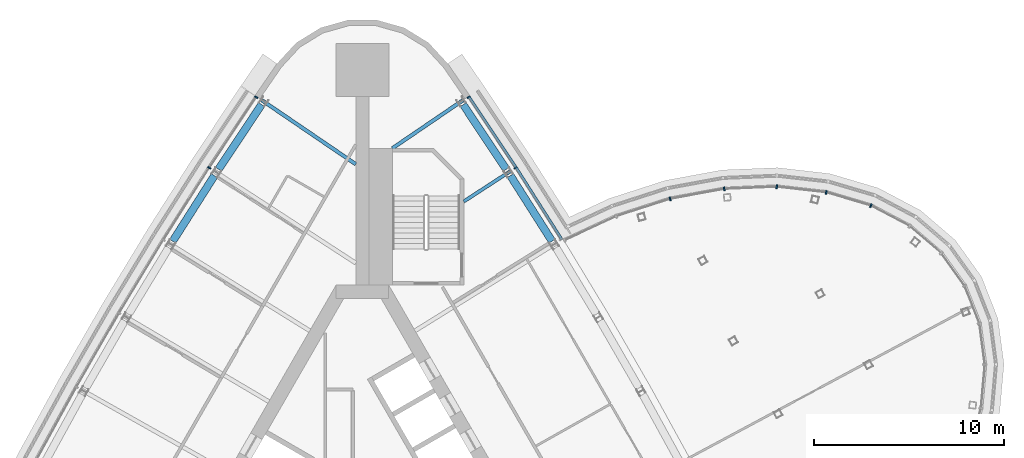
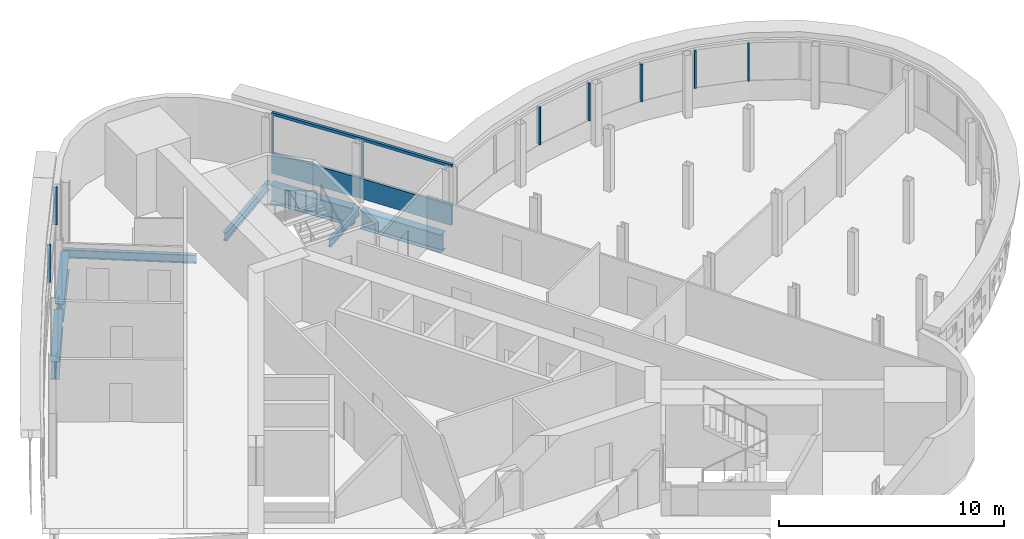
# One storey, part 8 of 15: 11 members, 7 beams, 3 elements without a shape of their own.
"""IFC4 building model written with IfcOpenShell, lengths in metres."""

from ifc_helpers import new_model, si_unit, direction, frame, origin, origin_2d, place, context, subcontext, project, spatial, polyline, rectangle, i_section, outline, extrude, material, material_profile, profile_set, type_object, element, aggregate, save


model = new_model("IFC4")

# Units and contexts
model_context = context("Model", 3, precision=1e-05, world=origin(), true_north=direction((0.0, 1.0)))
body_context = subcontext(model_context, "Body", "Model", "MODEL_VIEW")
ifc_project = project(units=[si_unit("LENGTHUNIT", "METRE"), si_unit("AREAUNIT", "SQUARE_METRE"), si_unit("VOLUMEUNIT", "CUBIC_METRE"), si_unit("PLANEANGLEUNIT", "RADIAN"), si_unit("MASSUNIT", "GRAM", prefix="KILO")], contexts=[model_context])

# Site, building, storey
site_placement = place(None, origin())
site = spatial("IfcSite", under=ifc_project, at=site_placement, CompositionType="ELEMENT")
building_placement = place(site_placement, origin())
building = spatial("IfcBuilding", under=site, at=building_placement, Name="Noor Cloister Tower", CompositionType="ELEMENT")
storey_placement = place(building_placement, frame((0.0, 0.0, 174.300048828125)))
storey = spatial("IfcBuildingStorey", under=building, at=storey_placement, Name="L44", CompositionType="ELEMENT", Elevation=174.300048828125)

# Beams
ifc_material_1 = material(Name="Steel ASTM A992 Gr 50", Category="steel")
ifc_material_profile_1 = material_profile(ifc_material_1, i_section(OverallWidth=0.40087890625, OverallDepth=0.98291015625, WebThickness=0.0166015625, FlangeThickness=0.027099609375, FilletRadius=0.030029296875, at=origin_2d()), Name="W1000x296")
ifc_profile_set_1 = profile_set([ifc_material_profile_1], Name="Steel ASTM A992 Gr 50")
beam_type_1 = type_object("IfcBeamType", Name="Belt chord girder W1000x296", PredefinedType="BEAM", material=ifc_profile_set_1)
for number, where, z_axis, x_axis, name in (
    (1, (-5.306884765625, 20.959716796875, -0.691650390625), (-0.553956901261, -0.832545345038, 0.0), (0.832545345038, -0.553956901261, 0.0), "Spandrel beam NW 01 L44"),
    (2, (-7.789794921875, 17.220703125, -0.691650390625), (-0.536207800432, -0.844086011468, 0.0), (0.844086011468, -0.536207800432, 0.0), "Spandrel beam NW 02 L44"),
    (3, (9.985107421875, 13.764892578125, -0.691650390625), (-0.536207800432, 0.844086011468, 0.0), (-0.844086011468, -0.536207800432, 0.0), "Spandrel beam NE 06 L44"),
    (4, (7.574951171875, 17.551025390625, -0.691650390625), (-0.553956901261, 0.832545345038, 0.0), (-0.832545345038, -0.553956901261, 0.0), "Spandrel beam NE 07 L44"),
):
    element("IfcBeam", number, at=place(storey_placement, frame(where, z_axis=z_axis, x_axis=x_axis)), inside=storey, type_object=beam_type_1, Name=name, PredefinedType="BEAM", context=body_context, shape_type="SweptSolid", body=[
        extrude(i_section(OverallWidth=0.40087890625, OverallDepth=0.98291015625, WebThickness=0.0166015625, FlangeThickness=0.027099609375, FilletRadius=0.030029296875, at=origin_2d()), origin(), (0.0, 0.0, 1.0), 4.09423828125),
    ])

# Curtain wall, member
ifc_material_2 = material(Name="Aluminium 6063-T6 anodised", Category="aluminium")
curtain_wall_type_1 = type_object("IfcCurtainWallType", Name="Ribbon curtain wall, upper tower CW5", PredefinedType="NOTDEFINED", material=ifc_material_2)
curtain_wall_1_placement = place(storey_placement, origin())
curtain_wall_1 = element("IfcCurtainWall", 5, at=curtain_wall_1_placement, inside=storey, type_object=curtain_wall_type_1, Name="CW5 L44 NE run 4", PredefinedType="NOTDEFINED")
ifc_material_3 = material(Name="Aluminium 6063-T6 anodised", Category="aluminium")
member_type_1 = type_object("IfcMemberType", Name="Head transom CW5 150", PredefinedType="USERDEFINED", material=ifc_material_3)
member_1_placement = place(storey_placement, frame((0.0, 0.0, 3.14990234375)))
member_1 = element("IfcMember", 6, at=member_1_placement, type_object=member_type_1, Name="CW5 head transom", ObjectType="TRANSOM", PredefinedType="USERDEFINED", context=body_context, shape_type="SweptSolid", body=[
    extrude(outline(polyline([(10.55810546875, 13.888671875), (8.145263671875, 17.68701171875), (5.65234375, 21.43310546875), (5.53564453125, 21.355712890625), (8.02783203125, 17.610595703125), (10.43994140625, 13.8134765625), (10.55810546875, 13.888671875)])), origin(), (0.0, 0.0, 1.0), 0.150146484375),
])

# Curtain wall, members
ifc_material_4 = material(Name="Aluminium 6063-T6 anodised", Category="aluminium")
curtain_wall_type_2 = type_object("IfcCurtainWallType", Name="Sky bar curtain wall, lower bars CW2", PredefinedType="NOTDEFINED", material=ifc_material_4)
curtain_wall_2_placement = place(storey_placement, origin())
curtain_wall_2 = element("IfcCurtainWall", 7, at=curtain_wall_2_placement, inside=storey, type_object=curtain_wall_type_2, Name="CW2 L44 NE sky bar run 3", PredefinedType="NOTDEFINED")
ifc_material_5 = material(Name="Aluminium 6063-T6 anodised", Category="aluminium")
ifc_material_profile_2 = material_profile(ifc_material_5, rectangle(XDim=0.199951171875, YDim=0.080078125, at=origin_2d()), Name="200 x 80 mullion")
ifc_profile_set_2 = profile_set([ifc_material_profile_2], Name="Aluminium 6063-T6 anodised")
member_type_2 = type_object("IfcMemberType", Name="Mullion CW2 80 x 200", PredefinedType="MULLION", material=ifc_profile_set_2)
member_2_placement = place(storey_placement, frame((26.764404296875, 15.64208984375, 1.099853515625), z_axis=(0.0, 0.0, 1.0), x_axis=(-0.377483553178, -0.926016288777, 0.0)))
member_2 = element("IfcMember", 8, at=member_2_placement, type_object=member_type_2, Name="CW2 mullion 13", PredefinedType="MULLION", context=body_context, shape_type="SweptSolid", body=[
    extrude(rectangle(XDim=0.199951171875, YDim=0.080078125, at=origin_2d()), origin(), (0.0, 0.0, 1.0), 2.050048828125),
])
member_3_placement = place(storey_placement, frame((24.408935546875, 16.34033203125, 1.099853515625), z_axis=(0.0, 0.0, 1.0), x_axis=(-0.199522183115, -0.979893309726, 0.0)))
member_3 = element("IfcMember", 9, at=member_3_placement, type_object=member_type_2, Name="CW2 mullion 14", PredefinedType="MULLION", context=body_context, shape_type="SweptSolid", body=[
    extrude(rectangle(XDim=0.199951171875, YDim=0.080078125, at=origin_2d()), origin(), (0.0, 0.0, 1.0), 2.050048828125),
])
member_4_placement = place(storey_placement, frame((21.80859375, 16.636962890625, 1.099853515625), z_axis=(0.0, 0.0, 1.0), x_axis=(-0.036049834228, -0.999349993472, 0.0)))
member_4 = element("IfcMember", 10, at=member_4_placement, type_object=member_type_2, Name="CW2 mullion 15", PredefinedType="MULLION", context=body_context, shape_type="SweptSolid", body=[
    extrude(rectangle(XDim=0.199951171875, YDim=0.080078125, at=origin_2d()), origin(), (0.0, 0.0, 1.0), 2.050048828125),
])
member_5_placement = place(storey_placement, frame((19.042236328125, 16.52197265625, 1.099853515625), z_axis=(0.0, 0.0, 1.0), x_axis=(0.111408070069, -0.993774744056, 0.0)))
member_5 = element("IfcMember", 11, at=member_5_placement, type_object=member_type_2, Name="CW2 mullion 16", PredefinedType="MULLION", context=body_context, shape_type="SweptSolid", body=[
    extrude(rectangle(XDim=0.199951171875, YDim=0.080078125, at=origin_2d()), origin(), (0.0, 0.0, 1.0), 2.050048828125),
])
member_6_placement = place(storey_placement, frame((16.195068359375, 15.998779296875, 1.099853515625), z_axis=(0.0, 0.0, 1.0), x_axis=(0.244410452656, -0.969671867506, 0.0)))
member_6 = element("IfcMember", 12, at=member_6_placement, type_object=member_type_2, Name="CW2 mullion 17", PredefinedType="MULLION", context=body_context, shape_type="SweptSolid", body=[
    extrude(rectangle(XDim=0.199951171875, YDim=0.080078125, at=origin_2d()), origin(), (0.0, 0.0, 1.0), 2.050048828125),
])
aggregate(curtain_wall_2, [member_2, member_3, member_4, member_5, member_6])

curtain_wall_3_placement = place(storey_placement, origin())
curtain_wall_3 = element("IfcCurtainWall", 13, at=curtain_wall_3_placement, inside=storey, type_object=curtain_wall_type_1, Name="CW5 L44 NW run 1", PredefinedType="NOTDEFINED")
ifc_material_6 = material(Name="Aluminium 6063-T6 anodised", Category="aluminium")
ifc_material_profile_3 = material_profile(ifc_material_6, rectangle(XDim=0.179931640625, YDim=0.070068359375, at=origin_2d()), Name="180 x 70 mullion")
ifc_profile_set_3 = profile_set([ifc_material_profile_3], Name="Aluminium 6063-T6 anodised")
member_type_3 = type_object("IfcMemberType", Name="Mullion CW5 70 x 180", PredefinedType="MULLION", material=ifc_profile_set_3)
member_7_placement = place(storey_placement, frame((-5.58837890625, 21.3486328125, 1.099853515625), z_axis=(0.0, 0.0, 1.0), x_axis=(0.832526508142, -0.553985210309, 0.0)))
member_7 = element("IfcMember", 14, at=member_7_placement, type_object=member_type_3, Name="CW5 mullion 1", PredefinedType="MULLION", context=body_context, shape_type="SweptSolid", body=[
    extrude(rectangle(XDim=0.179931640625, YDim=0.070068359375, at=origin_2d()), origin(), (0.0, 0.0, 1.0), 2.050048828125),
])
member_8_placement = place(storey_placement, frame((-8.061279296875, 17.63232421875, 1.099853515625), z_axis=(0.0, 0.0, 1.0), x_axis=(0.838346853928, -0.54513718687, 0.0)))
member_8 = element("IfcMember", 15, at=member_8_placement, type_object=member_type_3, Name="CW5 mullion 2", PredefinedType="MULLION", context=body_context, shape_type="SweptSolid", body=[
    extrude(rectangle(XDim=0.179931640625, YDim=0.070068359375, at=origin_2d()), origin(), (0.0, 0.0, 1.0), 2.050048828125),
])
aggregate(curtain_wall_3, [member_7, member_8])

# Member
member_9_placement = place(storey_placement, frame((8.061279296875, 17.63232421875, 1.099853515625), z_axis=(0.0, 0.0, 1.0), x_axis=(-0.838346853928, -0.54513718687, 0.0)))
member_9 = element("IfcMember", 16, at=member_9_placement, type_object=member_type_3, Name="CW5 mullion 2", PredefinedType="MULLION", context=body_context, shape_type="SweptSolid", body=[
    extrude(rectangle(XDim=0.179931640625, YDim=0.070068359375, at=origin_2d()), origin(), (0.0, 0.0, 1.0), 2.050048828125),
])

member_10_placement = place(storey_placement, frame((5.58837890625, 21.3486328125, 1.099853515625), z_axis=(0.0, 0.0, 1.0), x_axis=(-0.832526508142, -0.553985210309, 0.0)))
member_10 = element("IfcMember", 17, at=member_10_placement, type_object=member_type_3, Name="CW5 mullion 3", PredefinedType="MULLION", context=body_context, shape_type="SweptSolid", body=[
    extrude(rectangle(XDim=0.179931640625, YDim=0.070068359375, at=origin_2d()), origin(), (0.0, 0.0, 1.0), 2.050048828125),
])

# Beams
ifc_material_7 = material(Name="Steel ASTM A992 Gr 50", Category="steel")
ifc_material_profile_4 = material_profile(ifc_material_7, i_section(OverallWidth=0.177978515625, OverallDepth=0.406005859375, WebThickness=0.0078125, FlangeThickness=0.0126953125, FilletRadius=0.01025390625, at=origin_2d()), Name="W410x60")
ifc_profile_set_4 = profile_set([ifc_material_profile_4], Name="Steel ASTM A992 Gr 50")
beam_type_2 = type_object("IfcBeamType", Name="Radial beam W410x60", PredefinedType="BEAM", material=ifc_profile_set_4)
beam_1_placement = place(storey_placement, frame((7.778076171875, 17.4482421875, -0.403076171875), z_axis=(-0.838351702395, -0.545129730516, 0.0), x_axis=(0.545129730516, -0.838351702395, 0.0)))
element("IfcBeam", 18, at=beam_1_placement, inside=storey, type_object=beam_type_2, Name="Radial beam NE 07 L44", PredefinedType="BEAM", context=body_context, shape_type="SweptSolid", body=[
    extrude(i_section(OverallWidth=0.177978515625, OverallDepth=0.406005859375, WebThickness=0.0078125, FlangeThickness=0.0126953125, FilletRadius=0.01025390625, at=origin_2d()), origin(), (0.0, 0.0, 1.0), 2.913330078125),
])
ifc_material_8 = material(Name="Steel ASTM A992 Gr 50", Category="steel")
ifc_material_profile_5 = material_profile(ifc_material_8, i_section(OverallWidth=0.19091796875, OverallDepth=0.45703125, WebThickness=0.009033203125, FlangeThickness=0.014404296875, FilletRadius=0.01025390625, at=origin_2d()), Name="W460x74")
ifc_profile_set_5 = profile_set([ifc_material_profile_5], Name="Steel ASTM A992 Gr 50")
beam_type_3 = type_object("IfcBeamType", Name="Radial beam W460x74", PredefinedType="BEAM", material=ifc_profile_set_5)
beam_2_placement = place(storey_placement, frame((-5.290283203125, 21.186767578125, -0.428466796875), z_axis=(0.826599651919, -0.562790383222, 0.0), x_axis=(0.562790383222, 0.826599651919, 0.0)))
element("IfcBeam", 19, at=beam_2_placement, inside=storey, type_object=beam_type_3, Name="Radial beam NW 01 L44", PredefinedType="BEAM", context=body_context, shape_type="SweptSolid", body=[
    extrude(i_section(OverallWidth=0.19091796875, OverallDepth=0.45703125, WebThickness=0.009033203125, FlangeThickness=0.014404296875, FilletRadius=0.01025390625, at=origin_2d()), origin(), (0.0, 0.0, 1.0), 5.9765625),
])
beam_3_placement = place(storey_placement, frame((5.290283203125, 21.186767578125, -0.428466796875), z_axis=(-0.826614296201, -0.562768873798, 0.0), x_axis=(0.562768873798, -0.826614296201, 0.0)))
element("IfcBeam", 20, at=beam_3_placement, inside=storey, type_object=beam_type_3, Name="Radial beam NE 08 L44", PredefinedType="BEAM", context=body_context, shape_type="SweptSolid", body=[
    extrude(i_section(OverallWidth=0.19091796875, OverallDepth=0.45703125, WebThickness=0.009033203125, FlangeThickness=0.014404296875, FilletRadius=0.01025390625, at=origin_2d()), origin(), (0.0, 0.0, 1.0), 4.49609375),
])

# Member
ifc_material_9 = material(Name="Aluminium 6063-T6 anodised", Category="aluminium")
member_type_4 = type_object("IfcMemberType", Name="Sill transom CW5 1100", PredefinedType="USERDEFINED", material=ifc_material_9)
member_11_placement = place(storey_placement, origin())
member_11 = element("IfcMember", 21, at=member_11_placement, type_object=member_type_4, Name="CW5 sill transom", ObjectType="TRANSOM", PredefinedType="USERDEFINED", context=body_context, shape_type="SweptSolid", body=[
    extrude(outline(polyline([(10.55810546875, 13.888671875), (8.145263671875, 17.68701171875), (5.65234375, 21.43310546875), (5.53564453125, 21.355712890625), (8.02783203125, 17.610595703125), (10.43994140625, 13.8134765625), (10.55810546875, 13.888671875)])), origin(), (0.0, 0.0, 1.0), 1.099853515625),
])

aggregate(curtain_wall_1, [member_9, member_10, member_11, member_1])

save(model, "model.ifc")
